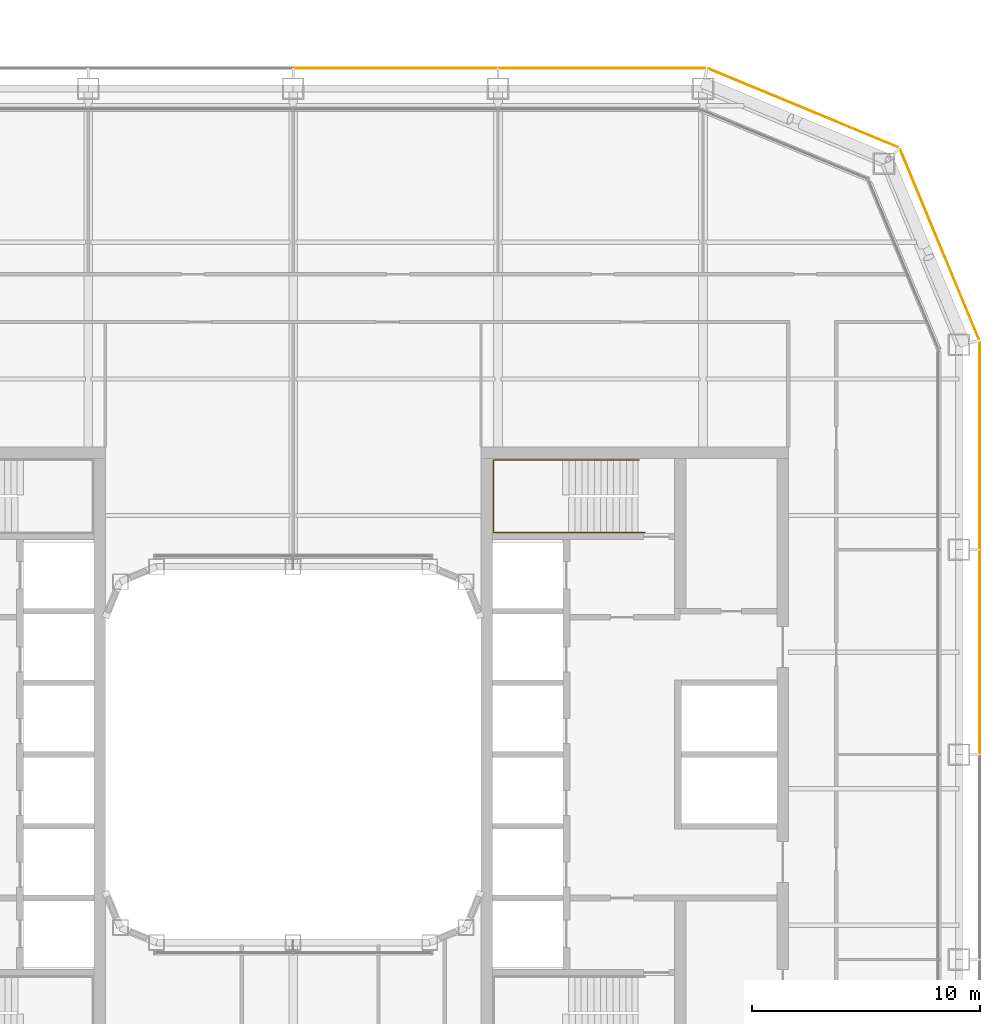
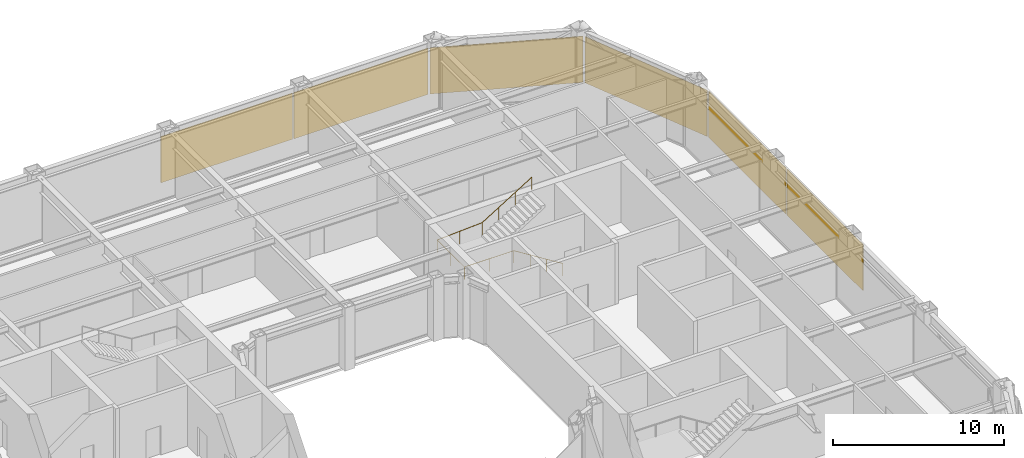
# One storey, part 22 of 23: 6 coverings, 1 railing.
"""IFC4 building model written with IfcOpenShell, lengths in metres."""

from ifc_helpers import new_model, si_unit, direction, frame, origin, origin_2d, place, context, subcontext, project, spatial, rectangle, circle, extrude, material, layer, layer_set, type_object, element, save


model = new_model("IFC4")

# Units and contexts
model_context = context("Model", 3, precision=1e-05, world=origin(), true_north=direction((0.0, 1.0)))
body_context = subcontext(model_context, "Body", "Model", "MODEL_VIEW")
ifc_project = project(units=[si_unit("LENGTHUNIT", "METRE"), si_unit("AREAUNIT", "SQUARE_METRE"), si_unit("VOLUMEUNIT", "CUBIC_METRE"), si_unit("PLANEANGLEUNIT", "RADIAN"), si_unit("MASSUNIT", "GRAM", prefix="KILO")], contexts=[model_context])

# Site, building, storey
site_placement = place(None, origin())
site = spatial("IfcSite", under=ifc_project, at=site_placement, CompositionType="ELEMENT")
building_placement = place(site_placement, origin())
building = spatial("IfcBuilding", under=site, at=building_placement, Name="Siwar Civic Tower", CompositionType="ELEMENT")
storey_placement = place(building_placement, frame((0.0, 0.0, 136.199951171875)))
storey = spatial("IfcBuildingStorey", under=building, at=storey_placement, Name="L29", CompositionType="ELEMENT", Elevation=136.199951171875)

# Railing
ifc_material_1 = material(Name="Stainless steel", Category="steel")
railing_type = type_object("IfcRailingType", Name="CORE-STAIR-HANDRAIL", PredefinedType="HANDRAIL", material=ifc_material_1)
railing_placement = place(storey_placement, frame((15.449951171875, 9.758056640625, 0.173095703125)))
element("IfcRailing", 1, at=railing_placement, inside=storey, type_object=railing_type, Name="Stair handrail ST3", PredefinedType="HANDRAIL", context=body_context, shape_type="SweptSolid", body=[
    extrude(circle(Radius=0.02001953125, at=origin_2d()), frame((0.0, 0.0, 0.8798828125), z_axis=(-0.847063342986, 0.0, 0.531491950051), x_axis=(0.0, -1.0, 0.0)), (0.0, 0.0, 1.0), 3.90771484375),
    extrude(circle(Radius=0.02001953125, at=origin_2d()), frame((-3.31005859375, 0.0, 2.956787109375), z_axis=(-1.0, 0.0, 0.0), x_axis=(0.0, -1.0, 0.0)), (0.0, 0.0, 1.0), 3.331787109375),
    extrude(circle(Radius=0.02001953125, at=origin_2d()), frame((-6.641845703125, 0.0, 2.956787109375), z_axis=(0.0, 1.0, 0.0), x_axis=(-1.0, 0.0, 0.0)), (0.0, 0.0, 1.0), 3.183837890625),
    extrude(circle(Radius=0.02001953125, at=origin_2d()), frame((-6.641845703125, 3.183837890625, 2.956787109375), z_axis=(0.99837434197, 0.0, 0.056997134106), x_axis=(0.0, 1.0, 0.0)), (0.0, 0.0, 1.0), 3.036865234375),
    extrude(circle(Radius=0.02001953125, at=origin_2d()), frame((-3.60986328125, 3.183837890625, 3.1298828125), z_axis=(0.850606129759, 0.0, 0.525803396734), x_axis=(0.0, 1.0, 0.0)), (0.0, 0.0, 1.0), 3.949951171875),
    extrude(circle(Radius=0.02001953125, at=origin_2d()), origin(), (0.0, 0.0, 1.0), 0.85986328125),
    extrude(circle(Radius=0.02001953125, at=origin_2d()), frame((-1.103271484375, 0.0, 0.6923828125)), (0.0, 0.0, 1.0), 0.85986328125),
    extrude(circle(Radius=0.02001953125, at=origin_2d()), frame((-2.206787109375, 0.0, 1.384521484375)), (0.0, 0.0, 1.0), 0.85986328125),
    extrude(circle(Radius=0.02001953125, at=origin_2d()), frame((-3.31005859375, 0.0, 2.076904296875)), (0.0, 0.0, 1.0), 0.85986328125),
    extrude(circle(Radius=0.02001953125, at=origin_2d()), frame((-4.97607421875, 0.0, 2.076904296875)), (0.0, 0.0, 1.0), 0.85986328125),
    extrude(circle(Radius=0.02001953125, at=origin_2d()), frame((-6.641845703125, 0.0, 2.076904296875)), (0.0, 0.0, 1.0), 0.85986328125),
    extrude(circle(Radius=0.02001953125, at=origin_2d()), frame((-6.641845703125, 1.591796875, 2.076904296875)), (0.0, 0.0, 1.0), 0.85986328125),
    extrude(circle(Radius=0.02001953125, at=origin_2d()), frame((-6.641845703125, 3.183837890625, 2.076904296875)), (0.0, 0.0, 1.0), 0.85986328125),
    extrude(circle(Radius=0.02001953125, at=origin_2d()), frame((-5.1259765625, 3.183837890625, 2.16357421875)), (0.0, 0.0, 1.0), 0.85986328125),
    extrude(circle(Radius=0.02001953125, at=origin_2d()), frame((-3.60986328125, 3.183837890625, 2.25)), (0.0, 0.0, 1.0), 0.85986328125),
    extrude(circle(Radius=0.02001953125, at=origin_2d()), frame((-2.489990234375, 3.183837890625, 2.9423828125)), (0.0, 0.0, 1.0), 0.85986328125),
    extrude(circle(Radius=0.02001953125, at=origin_2d()), frame((-1.369873046875, 3.183837890625, 3.634521484375)), (0.0, 0.0, 1.0), 0.85986328125),
    extrude(circle(Radius=0.02001953125, at=origin_2d()), frame((-0.25, 3.183837890625, 4.326904296875)), (0.0, 0.0, 1.0), 0.85986328125),
])

# Coverings
ifc_material_2 = material(Name="Perforated aluminium cassette, pale metal", Category="aluminium")
ifc_layer = layer(ifc_material_2, 0.0400390625)
ifc_layer_set = layer_set([ifc_layer], Name="Perforated aluminium cassette, pale metal")
covering_type = type_object("IfcCoveringType", Name="ENV-OUTER SKIN OS-1", PredefinedType="CLADDING", material=ifc_layer_set)
covering_1_placement = place(storey_placement, frame((30.14990234375, 4.5, -0.14990234375), z_axis=(0.0, 0.0, 1.0), x_axis=(0.0, 1.0, 0.0)))
element("IfcCovering", 2, at=covering_1_placement, inside=storey, type_object=covering_type, Name="OUTER SKIN OS-1 E 3", PredefinedType="CLADDING", context=body_context, shape_type="SweptSolid", body=[
    extrude(rectangle(XDim=8.89990234375, YDim=0.0400390625, at=origin_2d()), origin(), (0.0, 0.0, 1.0), 3.300048828125),
])
covering_2_placement = place(storey_placement, frame((30.14990234375, 13.57958984375, -0.14990234375), z_axis=(0.0, 0.0, 1.0), x_axis=(0.0, 1.0, 0.0)))
element("IfcCovering", 3, at=covering_2_placement, inside=storey, type_object=covering_type, Name="OUTER SKIN OS-1 E 4", PredefinedType="CLADDING", context=body_context, shape_type="SweptSolid", body=[
    extrude(rectangle(XDim=9.05908203125, YDim=0.0400390625, at=origin_2d()), origin(), (0.0, 0.0, 1.0), 3.300048828125),
])
for number, where, z_axis, x_axis, name in (
    (4, (28.39697265625, 22.411376953125, -0.14990234375), (0.0, 0.0, 1.0), (-0.382683432365, 0.923879532511, 0.0), "OUTER SKIN OS-1 NE1 1"),
    (5, (22.411376953125, 28.39697265625, -0.14990234375), (0.0, 0.0, 1.0), (-0.923879532511, 0.382683432365, 0.0), "OUTER SKIN OS-1 NE2 1"),
):
    element("IfcCovering", number, at=place(storey_placement, frame(where, z_axis=z_axis, x_axis=x_axis)), inside=storey, type_object=covering_type, Name=name, PredefinedType="CLADDING", context=body_context, shape_type="SweptSolid", body=[
        extrude(rectangle(XDim=9.022216796875, YDim=0.0400390625, at=origin_2d()), origin(), (0.0, 0.0, 1.0), 3.300048828125),
    ])
covering_3_placement = place(storey_placement, frame((13.57958984375, 30.14990234375, -0.14990234375), z_axis=(0.0, 0.0, 1.0), x_axis=(-1.0, 0.0, 0.0)))
element("IfcCovering", 6, at=covering_3_placement, inside=storey, type_object=covering_type, Name="OUTER SKIN OS-1 N 1", PredefinedType="CLADDING", context=body_context, shape_type="SweptSolid", body=[
    extrude(rectangle(XDim=9.05908203125, YDim=0.0400390625, at=origin_2d()), origin(), (0.0, 0.0, 1.0), 3.300048828125),
])
covering_4_placement = place(storey_placement, frame((4.5, 30.14990234375, -0.14990234375), z_axis=(0.0, 0.0, 1.0), x_axis=(-1.0, 0.0, 0.0)))
element("IfcCovering", 7, at=covering_4_placement, inside=storey, type_object=covering_type, Name="OUTER SKIN OS-1 N 2", PredefinedType="CLADDING", context=body_context, shape_type="SweptSolid", body=[
    extrude(rectangle(XDim=8.89990234375, YDim=0.0400390625, at=origin_2d()), origin(), (0.0, 0.0, 1.0), 3.300048828125),
])

save(model, "model.ifc")
